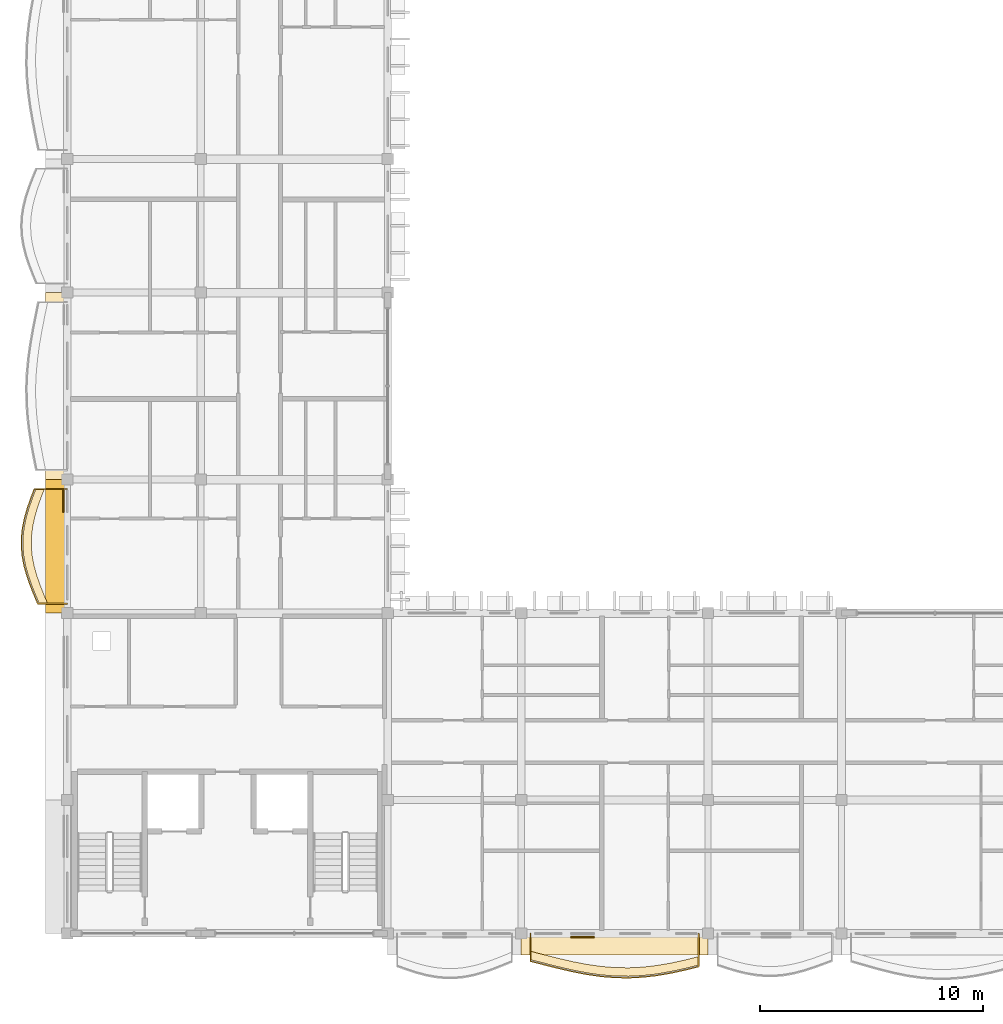
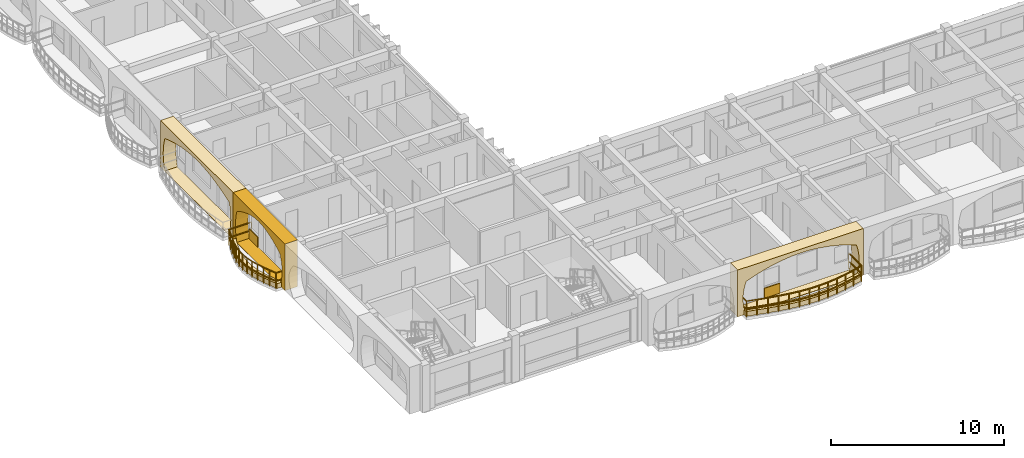
# One storey, part 48 of 68: 7 coverings, 2 railings.
"""IFC4 building model written with IfcOpenShell, lengths in metres."""

from ifc_helpers import new_model, si_unit, direction, frame, origin, origin_2d, place, context, subcontext, project, spatial, polyline, rectangle, outline, extrude, material, layer, layer_set, type_object, element, save


model = new_model("IFC4")

# Units and contexts
model_context = context("Model", 3, precision=1e-05, world=origin(), true_north=direction((0.0, 1.0)))
body_context = subcontext(model_context, "Body", "Model", "MODEL_VIEW")
ifc_project = project(units=[si_unit("LENGTHUNIT", "METRE"), si_unit("AREAUNIT", "SQUARE_METRE"), si_unit("VOLUMEUNIT", "CUBIC_METRE"), si_unit("PLANEANGLEUNIT", "RADIAN"), si_unit("MASSUNIT", "GRAM", prefix="KILO"), si_unit("THERMODYNAMICTEMPERATUREUNIT", "KELVIN")], contexts=[model_context])

# Site, building, storey
site_placement = place(None, origin())
site = spatial("IfcSite", under=ifc_project, at=site_placement, CompositionType="ELEMENT")
building_placement = place(site_placement, origin())
building = spatial("IfcBuilding", under=site, at=building_placement, Name="Thalorik Housing Commons", CompositionType="ELEMENT")
storey_placement = place(building_placement, frame((0.0, 0.0, 24.60009765625)))
storey = spatial("IfcBuildingStorey", under=building, at=storey_placement, Name="L07", CompositionType="ELEMENT", Elevation=24.60009765625)

# Coverings
ifc_material_1 = material(Name="Precast concrete C40/50", Category="concrete")
ifc_layer_1 = layer(ifc_material_1, 0.85009765625, Name="Precast concrete C40/50", Category="concrete")
ifc_layer_set_1 = layer_set([ifc_layer_1], Name="Precast concrete C40/50")
covering_type_1 = type_object("IfcCoveringType", Name="ARC-CLD-CUSH-850", PredefinedType="CLADDING", material=ifc_layer_set_1)
covering_1_placement = place(storey_placement, frame((7.8525390625, 33.0, 0.0), z_axis=(0.0, 0.0, 1.0), x_axis=(0.0, -1.0, 0.0)))
element("IfcCovering", 1, at=covering_1_placement, inside=storey, type_object=covering_type_1, Name="L07 White Precast Curved Cushion Bay Frame 4204", PredefinedType="CLADDING", context=body_context, shape_type="SweptSolid", body=[
    extrude(outline(polyline([(-4.199951171875, 0.0), (4.199951171875, 0.0), (4.199951171875, 3.300048828125), (-4.199951171875, 3.300048828125), (-4.199951171875, 0.0)]), holes=[polyline([(3.7548828125, 0.02490234375), (3.848876953125, 0.407470703125), (3.9052734375, 0.7900390625), (3.924072265625, 1.172607421875), (3.9052734375, 1.554931640625), (3.848876953125, 1.9375), (3.7548828125, 2.320068359375), (3.1328125, 2.539306640625), (2.5107421875, 2.711181640625), (1.888671875, 2.8505859375), (1.2666015625, 2.954345703125), (0.64453125, 3.018310546875), (0.0224609375, 3.0400390625), (-0.599609375, 3.018310546875), (-1.2216796875, 2.954345703125), (-1.84375, 2.8505859375), (-2.4658203125, 2.711181640625), (-3.087890625, 2.539306640625), (-3.7099609375, 2.320068359375), (-3.8134765625, 1.9375), (-3.87548828125, 1.554931640625), (-3.896240234375, 1.172607421875), (-3.87548828125, 0.7900390625), (-3.8134765625, 0.407470703125), (-3.7099609375, 0.02490234375), (3.7548828125, 0.02490234375)])]), frame((0.0, 0.425048828125, 0.0), z_axis=(0.0, -1.0, 0.0), x_axis=(1.0, 0.0, 0.0)), (0.0, 0.0, 1.0), 0.85009765625),
])
covering_2_placement = place(storey_placement, frame((7.8525390625, 25.800048828125, 0.0), z_axis=(0.0, 0.0, 1.0), x_axis=(0.0, -1.0, 0.0)))
element("IfcCovering", 2, at=covering_2_placement, inside=storey, type_object=covering_type_1, Name="L07 White Precast Curved Cushion Bay Frame 4206", PredefinedType="CLADDING", context=body_context, shape_type="SweptSolid", body=[
    extrude(outline(polyline([(-3.0, 0.0), (3.0, 0.0), (3.0, 3.300048828125), (-3.0, 3.300048828125), (-3.0, 0.0)]), holes=[polyline([(2.447509765625, 0.02490234375), (2.564208984375, 0.390869140625), (2.634033203125, 0.756591796875), (2.657470703125, 1.12255859375), (2.634033203125, 1.48828125), (2.564208984375, 1.854248046875), (2.447509765625, 2.219970703125), (2.02880859375, 2.469482421875), (1.610107421875, 2.66552734375), (1.191162109375, 2.824462890625), (0.7724609375, 2.9423828125), (0.353759765625, 3.015380859375), (-0.06494140625, 3.0400390625), (-0.48388671875, 3.015380859375), (-0.902587890625, 2.9423828125), (-1.3212890625, 2.824462890625), (-1.739990234375, 2.66552734375), (-2.15869140625, 2.469482421875), (-2.577392578125, 2.219970703125), (-2.666748046875, 1.854248046875), (-2.72021484375, 1.48828125), (-2.738037109375, 1.12255859375), (-2.72021484375, 0.756591796875), (-2.666748046875, 0.390869140625), (-2.577392578125, 0.02490234375), (2.447509765625, 0.02490234375)])]), frame((0.0, 0.425048828125, 0.0), z_axis=(0.0, -1.0, 0.0), x_axis=(1.0, 0.0, 0.0)), (0.0, 0.0, 1.0), 0.85009765625),
])
covering_3_placement = place(storey_placement, frame((33.0, 7.8525390625, 0.0), z_axis=(0.0, 0.0, 1.0), x_axis=(1.0, 0.0, 0.0)))
element("IfcCovering", 3, at=covering_3_placement, inside=storey, type_object=covering_type_1, Name="L07 White Precast Curved Cushion Bay Frame 4214", PredefinedType="CLADDING", context=body_context, shape_type="SweptSolid", body=[
    extrude(outline(polyline([(-4.199951171875, 0.0), (4.199951171875, 0.0), (4.199951171875, 3.300048828125), (-4.199951171875, 3.300048828125), (-4.199951171875, 0.0)]), holes=[polyline([(3.735107421875, 0.02490234375), (3.833251953125, 0.404296875), (3.89208984375, 0.783203125), (3.91162109375, 1.16259765625), (3.89208984375, 1.541748046875), (3.833251953125, 1.9208984375), (3.735107421875, 2.300048828125), (3.12109375, 2.525390625), (2.507568359375, 2.7021484375), (1.893798828125, 2.845458984375), (1.280029296875, 2.951904296875), (0.666259765625, 3.017822265625), (0.052490234375, 3.0400390625), (-0.561279296875, 3.017822265625), (-1.175048828125, 2.951904296875), (-1.788818359375, 2.845458984375), (-2.402587890625, 2.7021484375), (-3.01611328125, 2.525390625), (-3.6298828125, 2.300048828125), (-3.750244140625, 1.9208984375), (-3.822509765625, 1.541748046875), (-3.8466796875, 1.16259765625), (-3.822509765625, 0.783203125), (-3.750244140625, 0.404296875), (-3.6298828125, 0.02490234375), (3.735107421875, 0.02490234375)])]), frame((0.0, 0.425048828125, 0.0), z_axis=(0.0, -1.0, 0.0), x_axis=(1.0, 0.0, 0.0)), (0.0, 0.0, 1.0), 0.85009765625),
])
ifc_material_2 = material(Name="Mineral ochre architectural terracotta panel", Category="masonry")
ifc_layer_2 = layer(ifc_material_2, 0.06494140625, Name="Mineral ochre architectural terracotta panel", Category="masonry")
ifc_layer_set_2 = layer_set([ifc_layer_2], Name="Mineral ochre architectural terracotta panel")
covering_type_2 = type_object("IfcCoveringType", Name="ARC-CLD-YEL-65", PredefinedType="CLADDING", material=ifc_layer_set_2)
covering_4_placement = place(storey_placement, frame((8.239990234375, 27.827392578125, 0.0498046875), z_axis=(0.0, 0.0, 1.0), x_axis=(0.0, -1.0, 0.0)))
element("IfcCovering", 4, at=covering_4_placement, inside=storey, type_object=covering_type_2, Name="L07 De Stijl Recessed Window Spandrel 4207", PredefinedType="CLADDING", context=body_context, shape_type="SweptSolid", body=[
    extrude(rectangle(XDim=1.0, YDim=0.06494140625, at=origin_2d()), origin(), (0.0, 0.0, 1.0), 0.699951171875),
])
covering_5_placement = place(storey_placement, frame((31.550048828125, 8.239990234375, 0.0498046875), z_axis=(0.0, 0.0, 1.0), x_axis=(1.0, 0.0, 0.0)))
element("IfcCovering", 5, at=covering_5_placement, inside=storey, type_object=covering_type_2, Name="L07 De Stijl Recessed Window Spandrel 4215", PredefinedType="CLADDING", context=body_context, shape_type="SweptSolid", body=[
    extrude(rectangle(XDim=1.050048828125, YDim=0.06494140625, at=origin_2d()), origin(), (0.0, 0.0, 1.0), 0.699951171875),
])
ifc_material_3 = material(Name="Planted vegetated substrate and terracotta trough", Category="masonry")
ifc_layer_3 = layer(ifc_material_3, 0.340087890625, Name="Planted vegetated substrate and terracotta trough", Category="masonry")
ifc_layer_set_3 = layer_set([ifc_layer_3], Name="Planted vegetated substrate and terracotta trough")
covering_type_3 = type_object("IfcCoveringType", Name="ARC-COV-PLANTER", PredefinedType="USERDEFINED", material=ifc_layer_set_3)
covering_6_placement = place(storey_placement, origin())
element("IfcCovering", 6, at=covering_6_placement, inside=storey, type_object=covering_type_3, Name="L07 Balcony Slab-Edge Planted Trough 5617", ObjectType="PLANTER", PredefinedType="USERDEFINED", context=body_context, shape_type="SweptSolid", body=[
    extrude(outline(polyline([(6.98876953125, 28.3798828125), (6.824951171875, 27.949951171875), (6.676025390625, 27.52001953125), (6.55224609375, 27.090087890625), (6.4619140625, 26.659912109375), (6.41162109375, 26.22998046875), (6.40478515625, 25.800048828125), (6.44287109375, 25.3701171875), (6.5234375, 24.93994140625), (6.64208984375, 24.510009765625), (6.790771484375, 24.080078125), (6.960693359375, 23.64990234375), (7.140625, 23.219970703125), (7.520751953125, 23.219970703125), (7.3408203125, 23.64990234375), (7.1708984375, 24.080078125), (7.02197265625, 24.510009765625), (6.903564453125, 24.93994140625), (6.822998046875, 25.3701171875), (6.784912109375, 25.800048828125), (6.79150390625, 26.22998046875), (6.841796875, 26.659912109375), (6.93212890625, 27.090087890625), (7.05615234375, 27.52001953125), (7.205078125, 27.949951171875), (7.368896484375, 28.3798828125), (6.98876953125, 28.3798828125)])), origin(), (0.0, 0.0, 1.0), 0.33984375),
])
covering_7_placement = place(storey_placement, origin())
element("IfcCovering", 7, at=covering_7_placement, inside=storey, type_object=covering_type_3, Name="L07 Balcony Slab-Edge Planted Trough 5623", ObjectType="PLANTER", PredefinedType="USERDEFINED", context=body_context, shape_type="SweptSolid", body=[
    extrude(outline(polyline([(29.219970703125, 7.219482421875), (29.85009765625, 7.059326171875), (30.47998046875, 6.90087890625), (31.110107421875, 6.755615234375), (31.739990234375, 6.63330078125), (32.3701171875, 6.542236328125), (33.0, 6.489013671875), (33.6298828125, 6.4775390625), (34.260009765625, 6.5087890625), (34.889892578125, 6.580810546875), (35.52001953125, 6.68896484375), (36.14990234375, 6.825927734375), (36.780029296875, 6.982421875), (36.780029296875, 7.3623046875), (36.14990234375, 7.205810546875), (35.52001953125, 7.069091796875), (34.889892578125, 6.9609375), (34.260009765625, 6.888916015625), (33.6298828125, 6.857666015625), (33.0, 6.868896484375), (32.3701171875, 6.922119140625), (31.739990234375, 7.01318359375), (31.110107421875, 7.135498046875), (30.47998046875, 7.281005859375), (29.85009765625, 7.439208984375), (29.219970703125, 7.599609375), (29.219970703125, 7.219482421875)])), origin(), (0.0, 0.0, 1.0), 0.33984375),
])

# Railings
ifc_material_4 = material(Name="Steel S355", Category="steel")
railing_type = type_object("IfcRailingType", Name="ARC-RL-BAL-115", PredefinedType="BALUSTRADE", material=ifc_material_4)
railing_1_placement = place(storey_placement, frame((8.39990234375, 28.3798828125, 0.0)))
element("IfcRailing", 8, at=railing_1_placement, inside=storey, type_object=railing_type, Name="L07 Cushion Balcony Guardrail 301", PredefinedType="BALUSTRADE", context=body_context, shape_type="SweptSolid", body=[
    extrude(rectangle(XDim=0.050048828125, YDim=0.050048828125, at=origin_2d()), frame((0.0, 0.0, 1.125), z_axis=(-1.0, 0.0, 0.0), x_axis=(0.0, -1.0, 0.0)), (0.0, 0.0, 1.0), 1.481201171875),
    extrude(rectangle(XDim=0.050048828125, YDim=0.050048828125, at=origin_2d()), frame((0.0, 0.0, 0.5498046875), z_axis=(-1.0, 0.0, 0.0), x_axis=(0.0, -1.0, 0.0)), (0.0, 0.0, 1.0), 1.481201171875),
    extrude(rectangle(XDim=0.050048828125, YDim=0.050048828125, at=origin_2d()), frame((-1.481201171875, 0.0, 1.125), z_axis=(-0.35606152574, -0.934462513902, 0.0), x_axis=(0.934462513902, -0.35606152574, 0.0)), (0.0, 0.0, 1.0), 0.460205078125),
    extrude(rectangle(XDim=0.050048828125, YDim=0.050048828125, at=origin_2d()), frame((-1.481201171875, 0.0, 0.5498046875), z_axis=(-0.35606152574, -0.934462513902, 0.0), x_axis=(0.934462513902, -0.35606152574, 0.0)), (0.0, 0.0, 1.0), 0.460205078125),
    extrude(rectangle(XDim=0.050048828125, YDim=0.050048828125, at=origin_2d()), frame((-1.64501953125, -0.429931640625, 1.125), z_axis=(-0.326834060317, -0.945081740918, 0.0), x_axis=(0.945081740918, -0.326834060317, 0.0)), (0.0, 0.0, 1.0), 0.454833984375),
    extrude(rectangle(XDim=0.050048828125, YDim=0.050048828125, at=origin_2d()), frame((-1.64501953125, -0.429931640625, 0.5498046875), z_axis=(-0.326834060317, -0.945081740918, 0.0), x_axis=(0.945081740918, -0.326834060317, 0.0)), (0.0, 0.0, 1.0), 0.454833984375),
    extrude(rectangle(XDim=0.050048828125, YDim=0.050048828125, at=origin_2d()), frame((-1.793701171875, -0.85986328125, 1.125), z_axis=(-0.277170337791, -0.960820796949, 0.0), x_axis=(0.960820796949, -0.277170337791, 0.0)), (0.0, 0.0, 1.0), 0.447509765625),
    extrude(rectangle(XDim=0.050048828125, YDim=0.050048828125, at=origin_2d()), frame((-1.793701171875, -0.85986328125, 0.5498046875), z_axis=(-0.277170337791, -0.960820796949, 0.0), x_axis=(0.960820796949, -0.277170337791, 0.0)), (0.0, 0.0, 1.0), 0.447509765625),
    extrude(rectangle(XDim=0.050048828125, YDim=0.050048828125, at=origin_2d()), frame((-1.917724609375, -1.289794921875, 1.125), z_axis=(-0.205506595002, -0.978655730791, 0.0), x_axis=(0.978655730791, -0.205506595002, 0.0)), (0.0, 0.0, 1.0), 0.439453125),
    extrude(rectangle(XDim=0.050048828125, YDim=0.050048828125, at=origin_2d()), frame((-1.917724609375, -1.289794921875, 0.5498046875), z_axis=(-0.205506595002, -0.978655730791, 0.0), x_axis=(0.978655730791, -0.205506595002, 0.0)), (0.0, 0.0, 1.0), 0.439453125),
    extrude(rectangle(XDim=0.050048828125, YDim=0.050048828125, at=origin_2d()), frame((-2.008056640625, -1.719970703125, 1.125), z_axis=(-0.116186735796, -0.99322738707, 0.0), x_axis=(0.99322738707, -0.116186735796, 0.0)), (0.0, 0.0, 1.0), 0.432861328125),
    extrude(rectangle(XDim=0.050048828125, YDim=0.050048828125, at=origin_2d()), frame((-2.008056640625, -1.719970703125, 0.5498046875), z_axis=(-0.116186735796, -0.99322738707, 0.0), x_axis=(0.99322738707, -0.116186735796, 0.0)), (0.0, 0.0, 1.0), 0.432861328125),
    extrude(rectangle(XDim=0.050048828125, YDim=0.050048828125, at=origin_2d()), frame((-2.058349609375, -2.14990234375, 1.125), z_axis=(-0.015330395815, -0.999882482577, 0.0), x_axis=(0.999882482577, -0.015330395815, 0.0)), (0.0, 0.0, 1.0), 0.429931640625),
    extrude(rectangle(XDim=0.050048828125, YDim=0.050048828125, at=origin_2d()), frame((-2.058349609375, -2.14990234375, 0.5498046875), z_axis=(-0.015330395815, -0.999882482577, 0.0), x_axis=(0.999882482577, -0.015330395815, 0.0)), (0.0, 0.0, 1.0), 0.429931640625),
    extrude(rectangle(XDim=0.050048828125, YDim=0.050048828125, at=origin_2d()), frame((-2.06494140625, -2.579833984375, 1.125), z_axis=(0.087679192705, -0.996148763572, 0.0), x_axis=(0.996148763572, 0.087679192705, 0.0)), (0.0, 0.0, 1.0), 0.431640625),
    extrude(rectangle(XDim=0.050048828125, YDim=0.050048828125, at=origin_2d()), frame((-2.06494140625, -2.579833984375, 0.5498046875), z_axis=(0.087679192705, -0.996148763572, 0.0), x_axis=(0.996148763572, 0.087679192705, 0.0)), (0.0, 0.0, 1.0), 0.431640625),
    extrude(rectangle(XDim=0.050048828125, YDim=0.050048828125, at=origin_2d()), frame((-2.027099609375, -3.009765625, 1.125), z_axis=(0.184625297276, -0.982808984292, 0.0), x_axis=(0.982808984292, 0.184625297276, 0.0)), (0.0, 0.0, 1.0), 0.437744140625),
    extrude(rectangle(XDim=0.050048828125, YDim=0.050048828125, at=origin_2d()), frame((-2.027099609375, -3.009765625, 0.5498046875), z_axis=(0.184625297276, -0.982808984292, 0.0), x_axis=(0.982808984292, 0.184625297276, 0.0)), (0.0, 0.0, 1.0), 0.437744140625),
    extrude(rectangle(XDim=0.050048828125, YDim=0.050048828125, at=origin_2d()), frame((-1.9462890625, -3.43994140625, 1.125), z_axis=(0.265525476527, -0.964103843637, 0.0), x_axis=(0.964103843637, 0.265525476527, 0.0)), (0.0, 0.0, 1.0), 0.446044921875),
    extrude(rectangle(XDim=0.050048828125, YDim=0.050048828125, at=origin_2d()), frame((-1.9462890625, -3.43994140625, 0.5498046875), z_axis=(0.265525476527, -0.964103843637, 0.0), x_axis=(0.964103843637, 0.265525476527, 0.0)), (0.0, 0.0, 1.0), 0.446044921875),
    extrude(rectangle(XDim=0.050048828125, YDim=0.050048828125, at=origin_2d()), frame((-1.827880859375, -3.869873046875, 1.125), z_axis=(0.326834060317, -0.945081740918, 0.0), x_axis=(0.945081740918, 0.326834060317, 0.0)), (0.0, 0.0, 1.0), 0.454833984375),
    extrude(rectangle(XDim=0.050048828125, YDim=0.050048828125, at=origin_2d()), frame((-1.827880859375, -3.869873046875, 0.5498046875), z_axis=(0.326834060317, -0.945081740918, 0.0), x_axis=(0.945081740918, 0.326834060317, 0.0)), (0.0, 0.0, 1.0), 0.454833984375),
    extrude(rectangle(XDim=0.050048828125, YDim=0.050048828125, at=origin_2d()), frame((-1.67919921875, -4.2998046875, 1.125), z_axis=(0.367382851148, -0.930069804199, 0.0), x_axis=(0.930069804199, 0.367382851148, 0.0)), (0.0, 0.0, 1.0), 0.46240234375),
    extrude(rectangle(XDim=0.050048828125, YDim=0.050048828125, at=origin_2d()), frame((-1.67919921875, -4.2998046875, 0.5498046875), z_axis=(0.367382851148, -0.930069804199, 0.0), x_axis=(0.930069804199, 0.367382851148, 0.0)), (0.0, 0.0, 1.0), 0.46240234375),
    extrude(rectangle(XDim=0.050048828125, YDim=0.050048828125, at=origin_2d()), frame((-1.50927734375, -4.72998046875, 1.125), z_axis=(0.386511149365, -0.922284734459, 0.0), x_axis=(0.922284734459, 0.386511149365, 0.0)), (0.0, 0.0, 1.0), 0.466064453125),
    extrude(rectangle(XDim=0.050048828125, YDim=0.050048828125, at=origin_2d()), frame((-1.50927734375, -4.72998046875, 0.5498046875), z_axis=(0.386511149365, -0.922284734459, 0.0), x_axis=(0.922284734459, 0.386511149365, 0.0)), (0.0, 0.0, 1.0), 0.466064453125),
    extrude(rectangle(XDim=0.050048828125, YDim=0.050048828125, at=origin_2d()), frame((-1.3291015625, -5.159912109375, 1.125), z_axis=(1.0, 0.0, 0.0), x_axis=(0.0, 1.0, 0.0)), (0.0, 0.0, 1.0), 1.3291015625),
    extrude(rectangle(XDim=0.050048828125, YDim=0.050048828125, at=origin_2d()), frame((-1.3291015625, -5.159912109375, 0.5498046875), z_axis=(1.0, 0.0, 0.0), x_axis=(0.0, 1.0, 0.0)), (0.0, 0.0, 1.0), 1.3291015625),
    extrude(rectangle(XDim=0.0419921875, YDim=0.0419921875, at=origin_2d()), origin(), (0.0, 0.0, 1.0), 1.099853515625),
    extrude(rectangle(XDim=0.0419921875, YDim=0.0419921875, at=origin_2d()), frame((-1.481201171875, 0.0, 0.0)), (0.0, 0.0, 1.0), 1.099853515625),
    extrude(rectangle(XDim=0.0419921875, YDim=0.0419921875, at=origin_2d()), frame((-1.64501953125, -0.429931640625, 0.0)), (0.0, 0.0, 1.0), 1.099853515625),
    extrude(rectangle(XDim=0.0419921875, YDim=0.0419921875, at=origin_2d()), frame((-1.793701171875, -0.85986328125, 0.0)), (0.0, 0.0, 1.0), 1.099853515625),
    extrude(rectangle(XDim=0.0419921875, YDim=0.0419921875, at=origin_2d()), frame((-1.917724609375, -1.289794921875, 0.0)), (0.0, 0.0, 1.0), 1.099853515625),
    extrude(rectangle(XDim=0.0419921875, YDim=0.0419921875, at=origin_2d()), frame((-2.008056640625, -1.719970703125, 0.0)), (0.0, 0.0, 1.0), 1.099853515625),
    extrude(rectangle(XDim=0.0419921875, YDim=0.0419921875, at=origin_2d()), frame((-2.058349609375, -2.14990234375, 0.0)), (0.0, 0.0, 1.0), 1.099853515625),
    extrude(rectangle(XDim=0.0419921875, YDim=0.0419921875, at=origin_2d()), frame((-2.06494140625, -2.579833984375, 0.0)), (0.0, 0.0, 1.0), 1.099853515625),
    extrude(rectangle(XDim=0.0419921875, YDim=0.0419921875, at=origin_2d()), frame((-2.027099609375, -3.009765625, 0.0)), (0.0, 0.0, 1.0), 1.099853515625),
    extrude(rectangle(XDim=0.0419921875, YDim=0.0419921875, at=origin_2d()), frame((-1.9462890625, -3.43994140625, 0.0)), (0.0, 0.0, 1.0), 1.099853515625),
    extrude(rectangle(XDim=0.0419921875, YDim=0.0419921875, at=origin_2d()), frame((-1.827880859375, -3.869873046875, 0.0)), (0.0, 0.0, 1.0), 1.099853515625),
    extrude(rectangle(XDim=0.0419921875, YDim=0.0419921875, at=origin_2d()), frame((-1.67919921875, -4.2998046875, 0.0)), (0.0, 0.0, 1.0), 1.099853515625),
    extrude(rectangle(XDim=0.0419921875, YDim=0.0419921875, at=origin_2d()), frame((-1.50927734375, -4.72998046875, 0.0)), (0.0, 0.0, 1.0), 1.099853515625),
    extrude(rectangle(XDim=0.0419921875, YDim=0.0419921875, at=origin_2d()), frame((-1.3291015625, -5.159912109375, 0.0)), (0.0, 0.0, 1.0), 1.099853515625),
    extrude(rectangle(XDim=0.0419921875, YDim=0.0419921875, at=origin_2d()), frame((0.0, -5.159912109375, 0.0)), (0.0, 0.0, 1.0), 1.099853515625),
])
railing_2_placement = place(storey_placement, frame((29.219970703125, 8.39990234375, 0.0)))
element("IfcRailing", 9, at=railing_2_placement, inside=storey, type_object=railing_type, Name="L07 Cushion Balcony Guardrail 307", PredefinedType="BALUSTRADE", context=body_context, shape_type="SweptSolid", body=[
    extrude(rectangle(XDim=0.050048828125, YDim=0.050048828125, at=origin_2d()), frame((0.0, 0.0, 1.125), z_axis=(0.0, -1.0, 0.0), x_axis=(1.0, 0.0, 0.0)), (0.0, 0.0, 1.0), 1.250244140625),
    extrude(rectangle(XDim=0.050048828125, YDim=0.050048828125, at=origin_2d()), frame((0.0, 0.0, 0.5498046875), z_axis=(0.0, -1.0, 0.0), x_axis=(1.0, 0.0, 0.0)), (0.0, 0.0, 1.0), 1.250244140625),
    extrude(rectangle(XDim=0.050048828125, YDim=0.050048828125, at=origin_2d()), frame((0.0, -1.250244140625, 1.125), z_axis=(0.969095541918, -0.246685691995, 0.0), x_axis=(0.246685691995, 0.969095541918, 0.0)), (0.0, 0.0, 1.0), 0.650146484375),
    extrude(rectangle(XDim=0.050048828125, YDim=0.050048828125, at=origin_2d()), frame((0.0, -1.250244140625, 0.5498046875), z_axis=(0.969095541918, -0.246685691995, 0.0), x_axis=(0.246685691995, 0.969095541918, 0.0)), (0.0, 0.0, 1.0), 0.650146484375),
    extrude(rectangle(XDim=0.050048828125, YDim=0.050048828125, at=origin_2d()), frame((0.630126953125, -1.41064453125, 1.125), z_axis=(0.969876563393, -0.243596904294, 0.0), x_axis=(0.243596904294, 0.969876563393, 0.0)), (0.0, 0.0, 1.0), 0.6494140625),
    extrude(rectangle(XDim=0.050048828125, YDim=0.050048828125, at=origin_2d()), frame((0.630126953125, -1.41064453125, 0.5498046875), z_axis=(0.969876563393, -0.243596904294, 0.0), x_axis=(0.243596904294, 0.969876563393, 0.0)), (0.0, 0.0, 1.0), 0.6494140625),
    extrude(rectangle(XDim=0.050048828125, YDim=0.050048828125, at=origin_2d()), frame((1.260009765625, -1.56884765625, 1.125), z_axis=(0.974359373104, -0.224997360081, 0.0), x_axis=(0.224997360081, 0.974359373104, 0.0)), (0.0, 0.0, 1.0), 0.646728515625),
    extrude(rectangle(XDim=0.050048828125, YDim=0.050048828125, at=origin_2d()), frame((1.260009765625, -1.56884765625, 0.5498046875), z_axis=(0.974359373104, -0.224997360081, 0.0), x_axis=(0.224997360081, 0.974359373104, 0.0)), (0.0, 0.0, 1.0), 0.646728515625),
    extrude(rectangle(XDim=0.050048828125, YDim=0.050048828125, at=origin_2d()), frame((1.89013671875, -1.71435546875, 1.125), z_axis=(0.981662885064, -0.190625234658, 0.0), x_axis=(0.190625234658, 0.981662885064, 0.0)), (0.0, 0.0, 1.0), 0.6416015625),
    extrude(rectangle(XDim=0.050048828125, YDim=0.050048828125, at=origin_2d()), frame((1.89013671875, -1.71435546875, 0.5498046875), z_axis=(0.981662885064, -0.190625234658, 0.0), x_axis=(0.190625234658, 0.981662885064, 0.0)), (0.0, 0.0, 1.0), 0.6416015625),
    extrude(rectangle(XDim=0.050048828125, YDim=0.050048828125, at=origin_2d()), frame((2.52001953125, -1.836669921875, 1.125), z_axis=(0.989718105742, -0.143031713848, 0.0), x_axis=(0.143031713848, 0.989718105742, 0.0)), (0.0, 0.0, 1.0), 0.63671875),
    extrude(rectangle(XDim=0.050048828125, YDim=0.050048828125, at=origin_2d()), frame((2.52001953125, -1.836669921875, 0.5498046875), z_axis=(0.989718105742, -0.143031713848, 0.0), x_axis=(0.143031713848, 0.989718105742, 0.0)), (0.0, 0.0, 1.0), 0.63671875),
    extrude(rectangle(XDim=0.050048828125, YDim=0.050048828125, at=origin_2d()), frame((3.150146484375, -1.927734375, 1.125), z_axis=(0.99644920467, -0.084196095588, 0.0), x_axis=(0.084196095588, 0.99644920467, 0.0)), (0.0, 0.0, 1.0), 0.632080078125),
    extrude(rectangle(XDim=0.050048828125, YDim=0.050048828125, at=origin_2d()), frame((3.150146484375, -1.927734375, 0.5498046875), z_axis=(0.99644920467, -0.084196095588, 0.0), x_axis=(0.084196095588, 0.99644920467, 0.0)), (0.0, 0.0, 1.0), 0.632080078125),
    extrude(rectangle(XDim=0.050048828125, YDim=0.050048828125, at=origin_2d()), frame((3.780029296875, -1.98095703125, 1.125), z_axis=(0.99984109311, -0.017826624141, 0.0), x_axis=(0.017826624141, 0.99984109311, 0.0)), (0.0, 0.0, 1.0), 0.6298828125),
    extrude(rectangle(XDim=0.050048828125, YDim=0.050048828125, at=origin_2d()), frame((3.780029296875, -1.98095703125, 0.5498046875), z_axis=(0.99984109311, -0.017826624141, 0.0), x_axis=(0.017826624141, 0.99984109311, 0.0)), (0.0, 0.0, 1.0), 0.6298828125),
    extrude(rectangle(XDim=0.050048828125, YDim=0.050048828125, at=origin_2d()), frame((4.409912109375, -1.9921875, 1.125), z_axis=(0.998791591771, 0.049146273597, 0.0), x_axis=(-0.049146273597, 0.998791591771, 0.0)), (0.0, 0.0, 1.0), 0.630859375),
    extrude(rectangle(XDim=0.050048828125, YDim=0.050048828125, at=origin_2d()), frame((4.409912109375, -1.9921875, 0.5498046875), z_axis=(0.998791591771, 0.049146273597, 0.0), x_axis=(-0.049146273597, 0.998791591771, 0.0)), (0.0, 0.0, 1.0), 0.630859375),
    extrude(rectangle(XDim=0.050048828125, YDim=0.050048828125, at=origin_2d()), frame((5.0400390625, -1.961181640625, 1.125), z_axis=(0.993482931157, 0.113980987451, 0.0), x_axis=(-0.113980987451, 0.993482931157, 0.0)), (0.0, 0.0, 1.0), 0.634033203125),
    extrude(rectangle(XDim=0.050048828125, YDim=0.050048828125, at=origin_2d()), frame((5.0400390625, -1.961181640625, 0.5498046875), z_axis=(0.993482931157, 0.113980987451, 0.0), x_axis=(-0.113980987451, 0.993482931157, 0.0)), (0.0, 0.0, 1.0), 0.634033203125),
    extrude(rectangle(XDim=0.050048828125, YDim=0.050048828125, at=origin_2d()), frame((5.669921875, -1.888916015625, 1.125), z_axis=(0.98565131333, 0.168794219485, 0.0), x_axis=(-0.168794219485, 0.98565131333, 0.0)), (0.0, 0.0, 1.0), 0.639404296875),
    extrude(rectangle(XDim=0.050048828125, YDim=0.050048828125, at=origin_2d()), frame((5.669921875, -1.888916015625, 0.5498046875), z_axis=(0.98565131333, 0.168794219485, 0.0), x_axis=(-0.168794219485, 0.98565131333, 0.0)), (0.0, 0.0, 1.0), 0.639404296875),
    extrude(rectangle(XDim=0.050048828125, YDim=0.050048828125, at=origin_2d()), frame((6.300048828125, -1.781005859375, 1.125), z_axis=(0.977166107914, 0.212476816488, 0.0), x_axis=(-0.212476816488, 0.977166107914, 0.0)), (0.0, 0.0, 1.0), 0.64453125),
    extrude(rectangle(XDim=0.050048828125, YDim=0.050048828125, at=origin_2d()), frame((6.300048828125, -1.781005859375, 0.5498046875), z_axis=(0.977166107914, 0.212476816488, 0.0), x_axis=(-0.212476816488, 0.977166107914, 0.0)), (0.0, 0.0, 1.0), 0.64453125),
    extrude(rectangle(XDim=0.050048828125, YDim=0.050048828125, at=origin_2d()), frame((6.929931640625, -1.64404296875, 1.125), z_axis=(0.970517357954, 0.241031238453, 0.0), x_axis=(-0.241031238453, 0.970517357954, 0.0)), (0.0, 0.0, 1.0), 0.649169921875),
    extrude(rectangle(XDim=0.050048828125, YDim=0.050048828125, at=origin_2d()), frame((6.929931640625, -1.64404296875, 0.5498046875), z_axis=(0.970517357954, 0.241031238453, 0.0), x_axis=(-0.241031238453, 0.970517357954, 0.0)), (0.0, 0.0, 1.0), 0.649169921875),
    extrude(rectangle(XDim=0.050048828125, YDim=0.050048828125, at=origin_2d()), frame((7.56005859375, -1.487548828125, 1.125), z_axis=(0.0, 1.0, 0.0), x_axis=(-1.0, 0.0, 0.0)), (0.0, 0.0, 1.0), 1.487548828125),
    extrude(rectangle(XDim=0.050048828125, YDim=0.050048828125, at=origin_2d()), frame((7.56005859375, -1.487548828125, 0.5498046875), z_axis=(0.0, 1.0, 0.0), x_axis=(-1.0, 0.0, 0.0)), (0.0, 0.0, 1.0), 1.487548828125),
    extrude(rectangle(XDim=0.0419921875, YDim=0.0419921875, at=origin_2d()), origin(), (0.0, 0.0, 1.0), 1.099853515625),
    extrude(rectangle(XDim=0.0419921875, YDim=0.0419921875, at=origin_2d()), frame((0.0, -1.250244140625, 0.0)), (0.0, 0.0, 1.0), 1.099853515625),
    extrude(rectangle(XDim=0.0419921875, YDim=0.0419921875, at=origin_2d()), frame((0.630126953125, -1.41064453125, 0.0)), (0.0, 0.0, 1.0), 1.099853515625),
    extrude(rectangle(XDim=0.0419921875, YDim=0.0419921875, at=origin_2d()), frame((1.260009765625, -1.56884765625, 0.0)), (0.0, 0.0, 1.0), 1.099853515625),
    extrude(rectangle(XDim=0.0419921875, YDim=0.0419921875, at=origin_2d()), frame((1.89013671875, -1.71435546875, 0.0)), (0.0, 0.0, 1.0), 1.099853515625),
    extrude(rectangle(XDim=0.0419921875, YDim=0.0419921875, at=origin_2d()), frame((2.52001953125, -1.836669921875, 0.0)), (0.0, 0.0, 1.0), 1.099853515625),
    extrude(rectangle(XDim=0.0419921875, YDim=0.0419921875, at=origin_2d()), frame((3.150146484375, -1.927734375, 0.0)), (0.0, 0.0, 1.0), 1.099853515625),
    extrude(rectangle(XDim=0.0419921875, YDim=0.0419921875, at=origin_2d()), frame((3.780029296875, -1.98095703125, 0.0)), (0.0, 0.0, 1.0), 1.099853515625),
    extrude(rectangle(XDim=0.0419921875, YDim=0.0419921875, at=origin_2d()), frame((4.409912109375, -1.9921875, 0.0)), (0.0, 0.0, 1.0), 1.099853515625),
    extrude(rectangle(XDim=0.0419921875, YDim=0.0419921875, at=origin_2d()), frame((5.0400390625, -1.961181640625, 0.0)), (0.0, 0.0, 1.0), 1.099853515625),
    extrude(rectangle(XDim=0.0419921875, YDim=0.0419921875, at=origin_2d()), frame((5.669921875, -1.888916015625, 0.0)), (0.0, 0.0, 1.0), 1.099853515625),
    extrude(rectangle(XDim=0.0419921875, YDim=0.0419921875, at=origin_2d()), frame((6.300048828125, -1.781005859375, 0.0)), (0.0, 0.0, 1.0), 1.099853515625),
    extrude(rectangle(XDim=0.0419921875, YDim=0.0419921875, at=origin_2d()), frame((6.929931640625, -1.64404296875, 0.0)), (0.0, 0.0, 1.0), 1.099853515625),
    extrude(rectangle(XDim=0.0419921875, YDim=0.0419921875, at=origin_2d()), frame((7.56005859375, -1.487548828125, 0.0)), (0.0, 0.0, 1.0), 1.099853515625),
    extrude(rectangle(XDim=0.0419921875, YDim=0.0419921875, at=origin_2d()), frame((7.56005859375, 0.0, 0.0)), (0.0, 0.0, 1.0), 1.099853515625),
])

save(model, "model.ifc")
